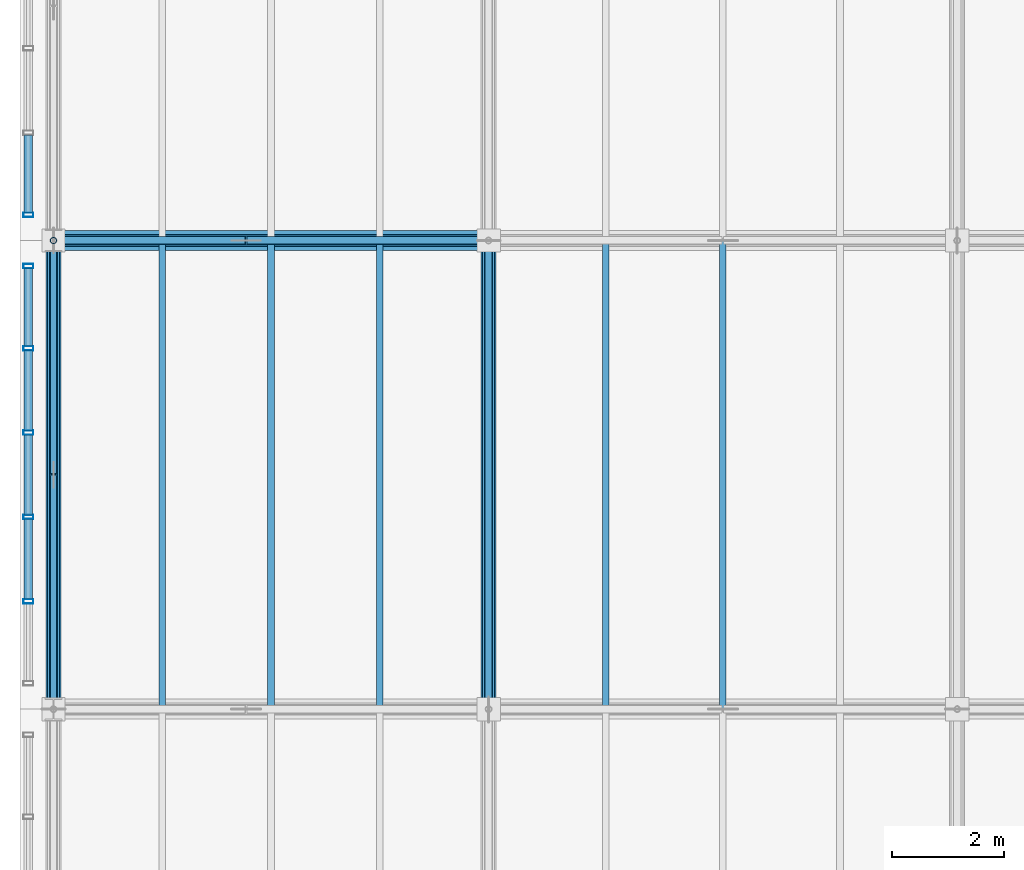
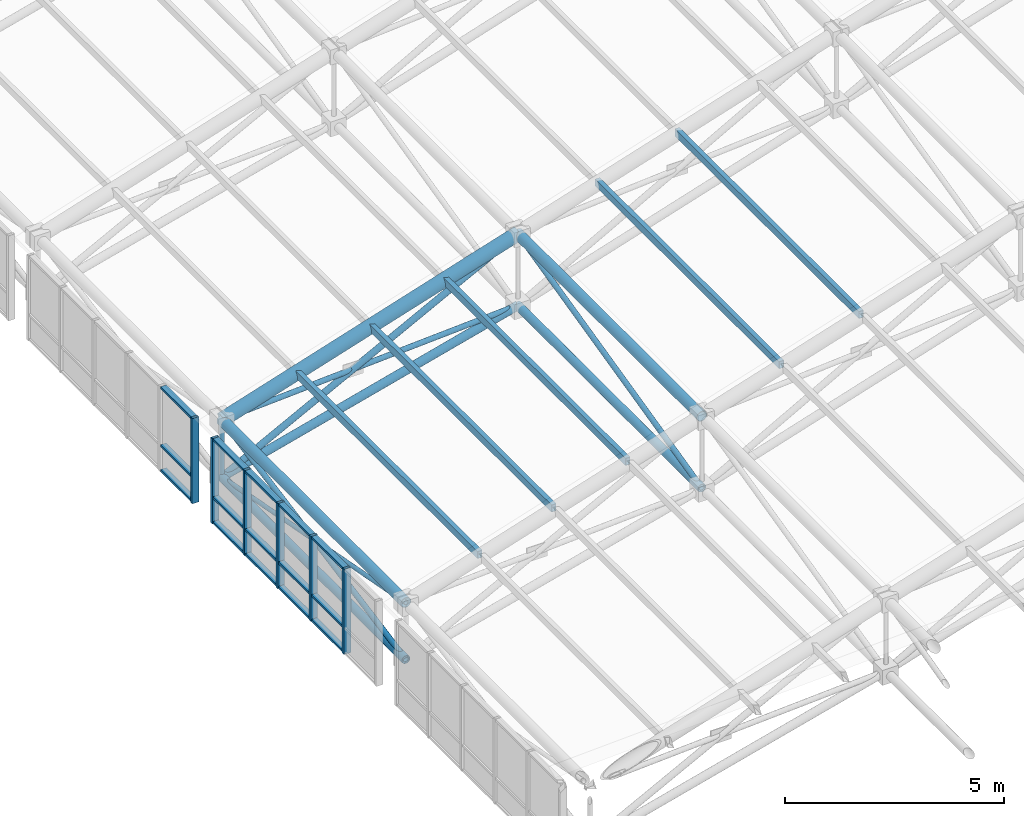
# One storey, part 37 of 144: 40 members, 2 elements without a shape of their own.
"""IFC4 building model written with IfcOpenShell, lengths in metres."""

from ifc_helpers import new_model, si_unit, direction, frame, origin, origin_2d, place, context, subcontext, project, spatial, hollow_rectangle, hollow_circle, extrude, material, layer, layer_set, material_profile, profile_set, type_object, element, aggregate, save


model = new_model("IFC4")

# Units and contexts
model_context = context("Model", 3, precision=1e-05, world=origin(), true_north=direction((0.0, 1.0)))
body_context = subcontext(model_context, "Body", "Model", "MODEL_VIEW")
ifc_project = project(units=[si_unit("LENGTHUNIT", "METRE"), si_unit("AREAUNIT", "SQUARE_METRE"), si_unit("VOLUMEUNIT", "CUBIC_METRE"), si_unit("PLANEANGLEUNIT", "RADIAN"), si_unit("MASSUNIT", "GRAM", prefix="KILO")], contexts=[model_context])

# Site, building, storey
site_placement = place(None, origin())
site = spatial("IfcSite", under=ifc_project, at=site_placement, CompositionType="ELEMENT")
building_placement = place(site_placement, origin())
building = spatial("IfcBuilding", under=site, at=building_placement, Name="Zayran Congress Hotel", CompositionType="ELEMENT")
storey_placement = place(building_placement, frame((0.0, 0.0, 19.199951171875)))
storey = spatial("IfcBuildingStorey", under=building, at=storey_placement, Name="L04", CompositionType="ELEMENT", Elevation=19.199951171875)

# Members
ifc_material_1 = material(Name="Steel S355", Category="steel")
ifc_material_profile_1 = material_profile(ifc_material_1, hollow_circle(Radius=0.177734375, WallThickness=0.01611328125, at=origin_2d()), Name="CHS 355.6x16")
ifc_profile_set_1 = profile_set([ifc_material_profile_1], Name="Steel S355")
member_type_1 = type_object("IfcMemberType", Name="TP-SF-TC1", PredefinedType="CHORD", material=ifc_profile_set_1)
member_1_placement = place(storey_placement, frame((9.0, 92.800048828125, 2.19140625), z_axis=(0.953669693314, 0.0, 0.300855639892), x_axis=(0.0, 1.0, 0.0)))
element("IfcMember", 1, at=member_1_placement, inside=storey, type_object=member_type_1, Name="Space Frame Top Chord X 28", PredefinedType="CHORD", context=body_context, shape_type="SweptSolid", body=[
    extrude(hollow_circle(Radius=0.177734375, WallThickness=0.01611328125, at=origin_2d()), origin(), (0.0, 0.0, 1.0), 8.178955078125),
])
ifc_material_profile_2 = material_profile(ifc_material_1, hollow_circle(Radius=0.136474609375, WallThickness=0.012451171875, at=origin_2d()), Name="CHS 273x12.5")
ifc_profile_set_2 = profile_set([ifc_material_profile_2], Name="Steel S355")
member_type_2 = type_object("IfcMemberType", Name="TP-SF-TC2", PredefinedType="CHORD", material=ifc_profile_set_2)
for number, where, z_axis, x_axis, name in (
    (2, (9.0, 84.39990234375, 2.19140625), (0.0, 1.0, 0.0), (-1.0, 0.0, 0.0), "Space Frame Top Chord Y 23"),
    (3, (16.800048828125, 84.39990234375, 4.652099609375), (0.0, 1.0, 0.0), (-1.0, 0.0, 0.0), "Space Frame Top Chord Y 80"),
):
    element("IfcMember", number, at=place(storey_placement, frame(where, z_axis=z_axis, x_axis=x_axis)), inside=storey, type_object=member_type_2, Name=name, PredefinedType="CHORD", context=body_context, shape_type="SweptSolid", body=[
        extrude(hollow_circle(Radius=0.136474609375, WallThickness=0.012451171875, at=origin_2d()), origin(), (0.0, 0.0, 1.0), 8.400146484375),
    ])
ifc_material_profile_3 = material_profile(ifc_material_1, hollow_circle(Radius=0.109619140625, WallThickness=0.010009765625, at=origin_2d()), Name="CHS 219.1x10")
ifc_profile_set_3 = profile_set([ifc_material_profile_3], Name="Steel S355")
member_type_3 = type_object("IfcMemberType", Name="TP-SF-BC1", PredefinedType="CHORD", material=ifc_profile_set_3)
member_2_placement = place(storey_placement, frame((9.0, 84.39990234375, 0.60009765625), z_axis=(0.0, 1.0, 0.0), x_axis=(-1.0, 0.0, 0.0)))
element("IfcMember", 4, at=member_2_placement, inside=storey, type_object=member_type_3, Name="Space Frame Bottom Chord Y 24", PredefinedType="CHORD", context=body_context, shape_type="SweptSolid", body=[
    extrude(hollow_circle(Radius=0.109619140625, WallThickness=0.010009765625, at=origin_2d()), origin(), (0.0, 0.0, 1.0), 8.400146484375),
])
member_3_placement = place(storey_placement, frame((9.0, 92.800048828125, 0.60009765625), z_axis=(0.967153699015, 0.0, 0.254192294301), x_axis=(0.0, 1.0, 0.0)))
element("IfcMember", 5, at=member_3_placement, inside=storey, type_object=member_type_3, Name="Space Frame Bottom Chord X 29", PredefinedType="CHORD", context=body_context, shape_type="SweptSolid", body=[
    extrude(hollow_circle(Radius=0.109619140625, WallThickness=0.010009765625, at=origin_2d()), origin(), (0.0, 0.0, 1.0), 8.06494140625),
])
member_4_placement = place(storey_placement, frame((16.800048828125, 84.39990234375, 2.650146484375), z_axis=(0.0, 1.0, 0.0), x_axis=(-1.0, 0.0, 0.0)))
element("IfcMember", 6, at=member_4_placement, inside=storey, type_object=member_type_3, Name="Space Frame Bottom Chord Y 81", PredefinedType="CHORD", context=body_context, shape_type="SweptSolid", body=[
    extrude(hollow_circle(Radius=0.109619140625, WallThickness=0.010009765625, at=origin_2d()), origin(), (0.0, 0.0, 1.0), 8.400146484375),
])
ifc_material_profile_4 = material_profile(ifc_material_1, hollow_circle(Radius=0.084228515625, WallThickness=0.008056640625, at=origin_2d()), Name="CHS 168.3x8")
ifc_profile_set_4 = profile_set([ifc_material_profile_4], Name="Steel S355")
member_type_4 = type_object("IfcMemberType", Name="TP-SF-DG1", PredefinedType="BRACE", material=ifc_profile_set_4)
member_5_placement = place(storey_placement, frame((9.0, 92.800048828125, 0.60009765625), z_axis=(0.887404091239, 0.0, 0.46099238481), x_axis=(0.0, 1.0, 0.0)))
element("IfcMember", 7, at=member_5_placement, inside=storey, type_object=member_type_4, Name="Space Frame Web Diagonal X 30", PredefinedType="BRACE", context=body_context, shape_type="SweptSolid", body=[
    extrude(hollow_circle(Radius=0.084228515625, WallThickness=0.008056640625, at=origin_2d()), origin(), (0.0, 0.0, 1.0), 8.789794921875),
])
ifc_material_profile_5 = material_profile(ifc_material_1, hollow_circle(Radius=0.06982421875, WallThickness=0.00634765625, at=origin_2d()), Name="CHS 139.7x6.3")
ifc_profile_set_5 = profile_set([ifc_material_profile_5], Name="Steel S355")
member_type_5 = type_object("IfcMemberType", Name="TP-SF-DG2", PredefinedType="BRACE", material=ifc_profile_set_5)
member_6_placement = place(storey_placement, frame((9.0, 84.39990234375, 0.60009765625), z_axis=(0.0, 0.982525530625, 0.186127863766), x_axis=(-1.0, 0.0, 0.0)))
element("IfcMember", 8, at=member_6_placement, inside=storey, type_object=member_type_5, Name="Space Frame Web Diagonal Y 25", PredefinedType="BRACE", context=body_context, shape_type="SweptSolid", body=[
    extrude(hollow_circle(Radius=0.06982421875, WallThickness=0.00634765625, at=origin_2d()), origin(), (0.0, 0.0, 1.0), 8.549560546875),
])
member_7_placement = place(storey_placement, frame((9.0, 92.800048828125, 2.19140625), z_axis=(0.998277060117, 0.0, 0.0586763261), x_axis=(0.0, 1.0, 0.0)))
element("IfcMember", 9, at=member_7_placement, inside=storey, type_object=member_type_5, Name="Space Frame Counter Diagonal X Upper 31", PredefinedType="BRACE", context=body_context, shape_type="SweptSolid", body=[
    extrude(hollow_circle(Radius=0.06982421875, WallThickness=0.00634765625, at=origin_2d()), origin(), (0.0, 0.0, 1.0), 3.445068359375),
])
member_8_placement = place(storey_placement, frame((12.46923828125, 92.800048828125, 2.395263671875), z_axis=(0.99827262625, 0.0, 0.058751712149), x_axis=(0.0, 1.0, 0.0)))
element("IfcMember", 10, at=member_8_placement, inside=storey, type_object=member_type_5, Name="Space Frame Counter Diagonal X Lower 7", PredefinedType="BRACE", context=body_context, shape_type="SweptSolid", body=[
    extrude(hollow_circle(Radius=0.06982421875, WallThickness=0.00634765625, at=origin_2d()), origin(), (0.0, 0.0, 1.0), 4.33837890625),
])
member_9_placement = place(storey_placement, frame((16.800048828125, 84.39990234375, 2.650146484375), z_axis=(0.0, 0.972756139537, 0.231830742122), x_axis=(-1.0, 0.0, 0.0)))
element("IfcMember", 11, at=member_9_placement, inside=storey, type_object=member_type_5, Name="Space Frame Web Diagonal Y 82", PredefinedType="BRACE", context=body_context, shape_type="SweptSolid", body=[
    extrude(hollow_circle(Radius=0.06982421875, WallThickness=0.00634765625, at=origin_2d()), origin(), (0.0, 0.0, 1.0), 8.635498046875),
])
ifc_material_profile_6 = material_profile(ifc_material_1, hollow_circle(Radius=0.05712890625, WallThickness=0.00634765625, at=origin_2d()), Name="CHS 114.3x6.3")
ifc_profile_set_6 = profile_set([ifc_material_profile_6], Name="Steel S355")
member_type_6 = type_object("IfcMemberType", Name="TP-SF-DG3", PredefinedType="BRACE", material=ifc_profile_set_6)
for number, where, z_axis, x_axis, name in (
    (12, (9.0, 84.39990234375, 2.19140625), (0.0, 0.982520698357, -0.186153370371), (-1.0, 0.0, 0.0), "Space Frame Bracing Diagonal Y Upper 26"),
    (13, (9.0, 88.61474609375, 1.39306640625), (0.0, 0.982520698357, -0.186153370371), (-1.0, 0.0, 0.0), "Space Frame Bracing Diagonal Y Lower 6"),
):
    element("IfcMember", number, at=place(storey_placement, frame(where, z_axis=z_axis, x_axis=x_axis)), inside=storey, type_object=member_type_6, Name=name, PredefinedType="BRACE", context=body_context, shape_type="SweptSolid", body=[
        extrude(hollow_circle(Radius=0.05712890625, WallThickness=0.00634765625, at=origin_2d()), origin(), (0.0, 0.0, 1.0), 4.259765625),
    ])
member_10_placement = place(storey_placement, frame((9.0, 92.800048828125, 0.60009765625), z_axis=(0.0, 0.0, 1.0), x_axis=(0.0, 1.0, 0.0)))
element("IfcMember", 14, at=member_10_placement, inside=storey, type_object=member_type_6, Name="Space Frame Web Strut 36", PredefinedType="BRACE", context=body_context, shape_type="SweptSolid", body=[
    extrude(hollow_circle(Radius=0.05712890625, WallThickness=0.00634765625, at=origin_2d()), origin(), (0.0, 0.0, 1.0), 1.59130859375),
])
ifc_material_profile_7 = material_profile(ifc_material_1, hollow_rectangle(XDim=0.1201171875, YDim=0.199951171875, WallThickness=0.008056640625, at=origin_2d()), Name="RHS 200x120x8")
ifc_profile_set_7 = profile_set([ifc_material_profile_7], Name="Steel S355")
member_type_7 = type_object("IfcMemberType", Name="TP-PR-01", PredefinedType="PURLIN", material=ifc_profile_set_7)
for number, where, z_axis, x_axis, name in (
    (15, (10.949951171875, 84.39990234375, 2.8486328125), (0.0, 1.0, 0.0), (-1.0, 0.0, 0.0), "MEM-PR-V1-0003"),
    (16, (12.89990234375, 84.39990234375, 3.4638671875), (0.0, 1.0, 0.0), (-1.0, 0.0, 0.0), "MEM-PR-V1-0009"),
    (17, (14.85009765625, 84.39990234375, 4.078857421875), (0.0, 1.0, 0.0), (-1.0, 0.0, 0.0), "MEM-PR-V1-0015"),
    (18, (18.89990234375, 84.39990234375, 5.3564453125), (0.0, 1.0, 0.0), (-1.0, 0.0, 0.0), "MEM-PR-V1-0021"),
    (19, (21.0, 84.39990234375, 6.01904296875), (0.0, 1.0, 0.0), (-1.0, 0.0, 0.0), "MEM-PR-V1-0027"),
):
    element("IfcMember", number, at=place(storey_placement, frame(where, z_axis=z_axis, x_axis=x_axis)), inside=storey, type_object=member_type_7, Name=name, PredefinedType="PURLIN", context=body_context, shape_type="SweptSolid", body=[
        extrude(hollow_rectangle(XDim=0.1201171875, YDim=0.199951171875, WallThickness=0.008056640625, at=origin_2d()), origin(), (0.0, 0.0, 1.0), 8.400146484375),
    ])

# Curtain wall, members
ifc_material_2 = material(Name="Anodised aluminium and low-E insulated glass", Category="aluminium")
ifc_layer = layer(ifc_material_2, 0.179931640625)
ifc_layer_set = layer_set([ifc_layer], Name="Anodised aluminium and low-E insulated glass")
curtain_wall_type = type_object("IfcCurtainWallType", Name="CW-V1CL-L04-CW-31-7560-2370", PredefinedType="USERDEFINED", material=ifc_layer_set)
curtain_wall_1_placement = place(storey_placement, origin())
curtain_wall_1 = element("IfcCurtainWall", 20, at=curtain_wall_1_placement, inside=storey, type_object=curtain_wall_type, Name="CW-V1CLW-2", ObjectType="CURTAIN WALL", PredefinedType="USERDEFINED")
ifc_material_3 = material(Name="Anodised aluminium framing", Category="aluminium")
ifc_material_profile_8 = material_profile(ifc_material_3, hollow_rectangle(XDim=0.080078125, YDim=0.179931640625, WallThickness=0.0048828125, at=origin_2d()), Name="RHS 180x80x5")
ifc_profile_set_8 = profile_set([ifc_material_profile_8], Name="Anodised aluminium framing")
member_type_8 = type_object("IfcMemberType", Name="TP-CWM-01", PredefinedType="MULLION", material=ifc_profile_set_8)
member_11_placement = place(storey_placement, frame((8.550048828125, 92.340087890625, -0.219970703125), z_axis=(0.0, 0.0, 1.0), x_axis=(0.0, 1.0, 0.0)))
member_11 = element("IfcMember", 21, at=member_11_placement, type_object=member_type_8, Name="CW-V1CLW-2-M00", PredefinedType="MULLION", context=body_context, shape_type="SweptSolid", body=[
    extrude(hollow_rectangle(XDim=0.080078125, YDim=0.179931640625, WallThickness=0.0048828125, at=origin_2d()), origin(), (0.0, 0.0, 1.0), 2.3701171875),
])
member_12_placement = place(storey_placement, frame((8.550048828125, 90.867919921875, -0.219970703125), z_axis=(0.0, 0.0, 1.0), x_axis=(0.0, 1.0, 0.0)))
member_12 = element("IfcMember", 22, at=member_12_placement, type_object=member_type_8, Name="CW-V1CLW-2-M01", PredefinedType="MULLION", context=body_context, shape_type="SweptSolid", body=[
    extrude(hollow_rectangle(XDim=0.080078125, YDim=0.179931640625, WallThickness=0.0048828125, at=origin_2d()), origin(), (0.0, 0.0, 1.0), 2.3701171875),
])
member_13_placement = place(storey_placement, frame((8.550048828125, 89.35595703125, -0.219970703125), z_axis=(0.0, 0.0, 1.0), x_axis=(0.0, 1.0, 0.0)))
member_13 = element("IfcMember", 23, at=member_13_placement, type_object=member_type_8, Name="CW-V1CLW-2-M02", PredefinedType="MULLION", context=body_context, shape_type="SweptSolid", body=[
    extrude(hollow_rectangle(XDim=0.080078125, YDim=0.179931640625, WallThickness=0.0048828125, at=origin_2d()), origin(), (0.0, 0.0, 1.0), 2.3701171875),
])
member_14_placement = place(storey_placement, frame((8.550048828125, 87.843994140625, -0.219970703125), z_axis=(0.0, 0.0, 1.0), x_axis=(0.0, 1.0, 0.0)))
member_14 = element("IfcMember", 24, at=member_14_placement, type_object=member_type_8, Name="CW-V1CLW-2-M03", PredefinedType="MULLION", context=body_context, shape_type="SweptSolid", body=[
    extrude(hollow_rectangle(XDim=0.080078125, YDim=0.179931640625, WallThickness=0.0048828125, at=origin_2d()), origin(), (0.0, 0.0, 1.0), 2.3701171875),
])
member_15_placement = place(storey_placement, frame((8.550048828125, 86.33203125, -0.219970703125), z_axis=(0.0, 0.0, 1.0), x_axis=(0.0, 1.0, 0.0)))
member_15 = element("IfcMember", 25, at=member_15_placement, type_object=member_type_8, Name="CW-V1CLW-2-M04", PredefinedType="MULLION", context=body_context, shape_type="SweptSolid", body=[
    extrude(hollow_rectangle(XDim=0.080078125, YDim=0.179931640625, WallThickness=0.0048828125, at=origin_2d()), origin(), (0.0, 0.0, 1.0), 2.3701171875),
])

# Curtain wall, member
curtain_wall_2_placement = place(storey_placement, origin())
curtain_wall_2 = element("IfcCurtainWall", 26, at=curtain_wall_2_placement, inside=storey, type_object=curtain_wall_type, Name="CW-V1CLW-3", ObjectType="CURTAIN WALL", PredefinedType="USERDEFINED")
member_16_placement = place(storey_placement, frame((8.550048828125, 93.260009765625, -0.219970703125), z_axis=(0.0, 0.0, 1.0), x_axis=(0.0, 1.0, 0.0)))
member_16 = element("IfcMember", 27, at=member_16_placement, type_object=member_type_8, Name="CW-V1CLW-3-M05", PredefinedType="MULLION", context=body_context, shape_type="SweptSolid", body=[
    extrude(hollow_rectangle(XDim=0.080078125, YDim=0.179931640625, WallThickness=0.0048828125, at=origin_2d()), origin(), (0.0, 0.0, 1.0), 2.3701171875),
])

# Member
ifc_material_profile_9 = material_profile(ifc_material_3, hollow_rectangle(XDim=0.06005859375, YDim=0.14990234375, WallThickness=0.00390625, at=origin_2d()), Name="RHS 150x60x4")
ifc_profile_set_9 = profile_set([ifc_material_profile_9], Name="Anodised aluminium framing")
member_type_9 = type_object("IfcMemberType", Name="TP-CWT-01", PredefinedType="USERDEFINED", material=ifc_profile_set_9)
member_17_placement = place(storey_placement, frame((8.550048828125, 92.300048828125, -0.18994140625), z_axis=(0.0, -1.0, 0.0), x_axis=(0.0, 0.0, 1.0)))
member_17 = element("IfcMember", 28, at=member_17_placement, type_object=member_type_9, Name="CW-V1CLW-2-T00-0", ObjectType="TRANSOM", PredefinedType="USERDEFINED", context=body_context, shape_type="SweptSolid", body=[
    extrude(hollow_rectangle(XDim=0.06005859375, YDim=0.14990234375, WallThickness=0.00390625, at=origin_2d()), origin(), (0.0, 0.0, 1.0), 1.39208984375),
])

member_18_placement = place(storey_placement, frame((8.550048828125, 92.300048828125, 0.5), z_axis=(0.0, -1.0, 0.0), x_axis=(0.0, 0.0, 1.0)))
member_18 = element("IfcMember", 29, at=member_18_placement, type_object=member_type_9, Name="CW-V1CLW-2-T00-1", ObjectType="TRANSOM", PredefinedType="USERDEFINED", context=body_context, shape_type="SweptSolid", body=[
    extrude(hollow_rectangle(XDim=0.06005859375, YDim=0.14990234375, WallThickness=0.00390625, at=origin_2d()), origin(), (0.0, 0.0, 1.0), 1.39208984375),
])

member_19_placement = place(storey_placement, frame((8.550048828125, 92.300048828125, 2.1201171875), z_axis=(0.0, -1.0, 0.0), x_axis=(0.0, 0.0, 1.0)))
member_19 = element("IfcMember", 30, at=member_19_placement, type_object=member_type_9, Name="CW-V1CLW-2-T00-2", ObjectType="TRANSOM", PredefinedType="USERDEFINED", context=body_context, shape_type="SweptSolid", body=[
    extrude(hollow_rectangle(XDim=0.06005859375, YDim=0.14990234375, WallThickness=0.00390625, at=origin_2d()), origin(), (0.0, 0.0, 1.0), 1.39208984375),
])

member_20_placement = place(storey_placement, frame((8.550048828125, 90.827880859375, -0.18994140625), z_axis=(0.0, -1.0, 0.0), x_axis=(0.0, 0.0, 1.0)))
member_20 = element("IfcMember", 31, at=member_20_placement, type_object=member_type_9, Name="CW-V1CLW-2-T01-0", ObjectType="TRANSOM", PredefinedType="USERDEFINED", context=body_context, shape_type="SweptSolid", body=[
    extrude(hollow_rectangle(XDim=0.06005859375, YDim=0.14990234375, WallThickness=0.00390625, at=origin_2d()), origin(), (0.0, 0.0, 1.0), 1.431884765625),
])

member_21_placement = place(storey_placement, frame((8.550048828125, 90.827880859375, 0.5), z_axis=(0.0, -1.0, 0.0), x_axis=(0.0, 0.0, 1.0)))
member_21 = element("IfcMember", 32, at=member_21_placement, type_object=member_type_9, Name="CW-V1CLW-2-T01-1", ObjectType="TRANSOM", PredefinedType="USERDEFINED", context=body_context, shape_type="SweptSolid", body=[
    extrude(hollow_rectangle(XDim=0.06005859375, YDim=0.14990234375, WallThickness=0.00390625, at=origin_2d()), origin(), (0.0, 0.0, 1.0), 1.431884765625),
])

member_22_placement = place(storey_placement, frame((8.550048828125, 90.827880859375, 2.1201171875), z_axis=(0.0, -1.0, 0.0), x_axis=(0.0, 0.0, 1.0)))
member_22 = element("IfcMember", 33, at=member_22_placement, type_object=member_type_9, Name="CW-V1CLW-2-T01-2", ObjectType="TRANSOM", PredefinedType="USERDEFINED", context=body_context, shape_type="SweptSolid", body=[
    extrude(hollow_rectangle(XDim=0.06005859375, YDim=0.14990234375, WallThickness=0.00390625, at=origin_2d()), origin(), (0.0, 0.0, 1.0), 1.431884765625),
])

member_23_placement = place(storey_placement, frame((8.550048828125, 89.31591796875, -0.18994140625), z_axis=(0.0, -1.0, 0.0), x_axis=(0.0, 0.0, 1.0)))
member_23 = element("IfcMember", 34, at=member_23_placement, type_object=member_type_9, Name="CW-V1CLW-2-T02-0", ObjectType="TRANSOM", PredefinedType="USERDEFINED", context=body_context, shape_type="SweptSolid", body=[
    extrude(hollow_rectangle(XDim=0.06005859375, YDim=0.14990234375, WallThickness=0.00390625, at=origin_2d()), origin(), (0.0, 0.0, 1.0), 1.431884765625),
])

member_24_placement = place(storey_placement, frame((8.550048828125, 89.31591796875, 0.5), z_axis=(0.0, -1.0, 0.0), x_axis=(0.0, 0.0, 1.0)))
member_24 = element("IfcMember", 35, at=member_24_placement, type_object=member_type_9, Name="CW-V1CLW-2-T02-1", ObjectType="TRANSOM", PredefinedType="USERDEFINED", context=body_context, shape_type="SweptSolid", body=[
    extrude(hollow_rectangle(XDim=0.06005859375, YDim=0.14990234375, WallThickness=0.00390625, at=origin_2d()), origin(), (0.0, 0.0, 1.0), 1.431884765625),
])

member_25_placement = place(storey_placement, frame((8.550048828125, 89.31591796875, 2.1201171875), z_axis=(0.0, -1.0, 0.0), x_axis=(0.0, 0.0, 1.0)))
member_25 = element("IfcMember", 36, at=member_25_placement, type_object=member_type_9, Name="CW-V1CLW-2-T02-2", ObjectType="TRANSOM", PredefinedType="USERDEFINED", context=body_context, shape_type="SweptSolid", body=[
    extrude(hollow_rectangle(XDim=0.06005859375, YDim=0.14990234375, WallThickness=0.00390625, at=origin_2d()), origin(), (0.0, 0.0, 1.0), 1.431884765625),
])

member_26_placement = place(storey_placement, frame((8.550048828125, 87.803955078125, -0.18994140625), z_axis=(0.0, -1.0, 0.0), x_axis=(0.0, 0.0, 1.0)))
member_26 = element("IfcMember", 37, at=member_26_placement, type_object=member_type_9, Name="CW-V1CLW-2-T03-0", ObjectType="TRANSOM", PredefinedType="USERDEFINED", context=body_context, shape_type="SweptSolid", body=[
    extrude(hollow_rectangle(XDim=0.06005859375, YDim=0.14990234375, WallThickness=0.00390625, at=origin_2d()), origin(), (0.0, 0.0, 1.0), 1.431884765625),
])

member_27_placement = place(storey_placement, frame((8.550048828125, 87.803955078125, 0.5), z_axis=(0.0, -1.0, 0.0), x_axis=(0.0, 0.0, 1.0)))
member_27 = element("IfcMember", 38, at=member_27_placement, type_object=member_type_9, Name="CW-V1CLW-2-T03-1", ObjectType="TRANSOM", PredefinedType="USERDEFINED", context=body_context, shape_type="SweptSolid", body=[
    extrude(hollow_rectangle(XDim=0.06005859375, YDim=0.14990234375, WallThickness=0.00390625, at=origin_2d()), origin(), (0.0, 0.0, 1.0), 1.431884765625),
])

member_28_placement = place(storey_placement, frame((8.550048828125, 87.803955078125, 2.1201171875), z_axis=(0.0, -1.0, 0.0), x_axis=(0.0, 0.0, 1.0)))
member_28 = element("IfcMember", 39, at=member_28_placement, type_object=member_type_9, Name="CW-V1CLW-2-T03-2", ObjectType="TRANSOM", PredefinedType="USERDEFINED", context=body_context, shape_type="SweptSolid", body=[
    extrude(hollow_rectangle(XDim=0.06005859375, YDim=0.14990234375, WallThickness=0.00390625, at=origin_2d()), origin(), (0.0, 0.0, 1.0), 1.431884765625),
])

aggregate(curtain_wall_1, [member_11, member_12, member_13, member_14, member_15, member_17, member_18, member_19, member_20, member_21, member_22, member_23, member_24, member_25, member_26, member_27, member_28])

member_29_placement = place(storey_placement, frame((8.550048828125, 94.69189453125, -0.18994140625), z_axis=(0.0, -1.0, 0.0), x_axis=(0.0, 0.0, 1.0)))
member_29 = element("IfcMember", 40, at=member_29_placement, type_object=member_type_9, Name="CW-V1CLW-3-T04-0", ObjectType="TRANSOM", PredefinedType="USERDEFINED", context=body_context, shape_type="SweptSolid", body=[
    extrude(hollow_rectangle(XDim=0.06005859375, YDim=0.14990234375, WallThickness=0.00390625, at=origin_2d()), origin(), (0.0, 0.0, 1.0), 1.391845703125),
])

member_30_placement = place(storey_placement, frame((8.550048828125, 94.69189453125, 0.5), z_axis=(0.0, -1.0, 0.0), x_axis=(0.0, 0.0, 1.0)))
member_30 = element("IfcMember", 41, at=member_30_placement, type_object=member_type_9, Name="CW-V1CLW-3-T04-1", ObjectType="TRANSOM", PredefinedType="USERDEFINED", context=body_context, shape_type="SweptSolid", body=[
    extrude(hollow_rectangle(XDim=0.06005859375, YDim=0.14990234375, WallThickness=0.00390625, at=origin_2d()), origin(), (0.0, 0.0, 1.0), 1.391845703125),
])

member_31_placement = place(storey_placement, frame((8.550048828125, 94.69189453125, 2.1201171875), z_axis=(0.0, -1.0, 0.0), x_axis=(0.0, 0.0, 1.0)))
member_31 = element("IfcMember", 42, at=member_31_placement, type_object=member_type_9, Name="CW-V1CLW-3-T04-2", ObjectType="TRANSOM", PredefinedType="USERDEFINED", context=body_context, shape_type="SweptSolid", body=[
    extrude(hollow_rectangle(XDim=0.06005859375, YDim=0.14990234375, WallThickness=0.00390625, at=origin_2d()), origin(), (0.0, 0.0, 1.0), 1.391845703125),
])

aggregate(curtain_wall_2, [member_16, member_29, member_30, member_31])

save(model, "model.ifc")
